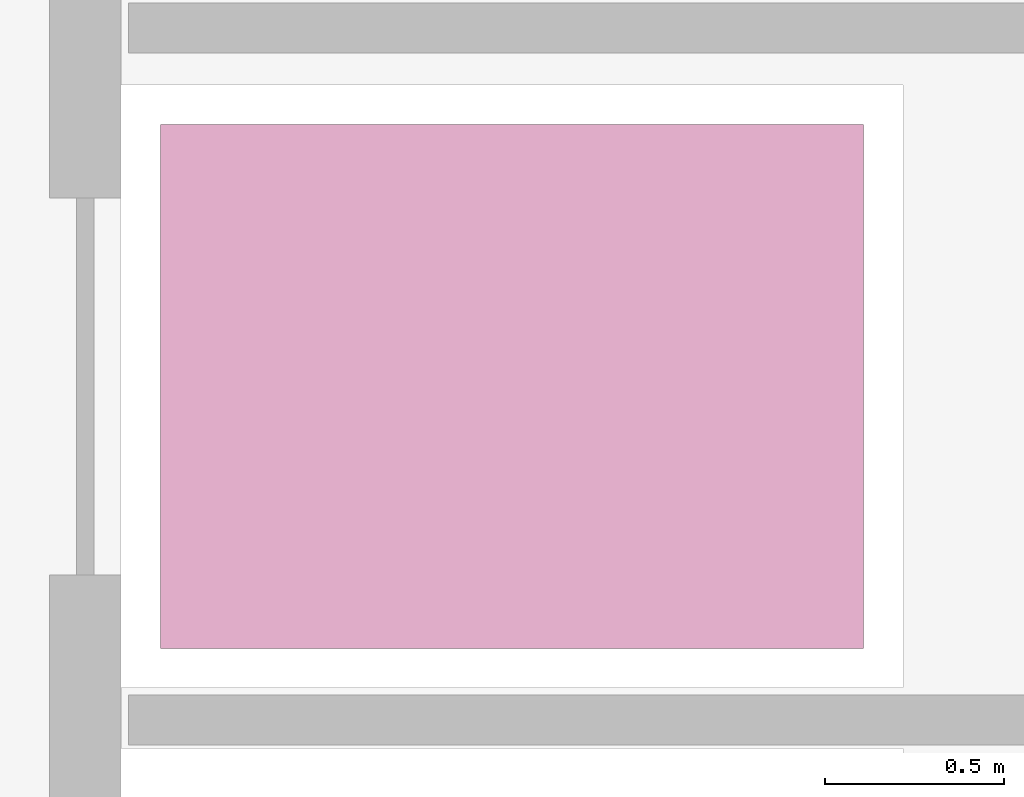
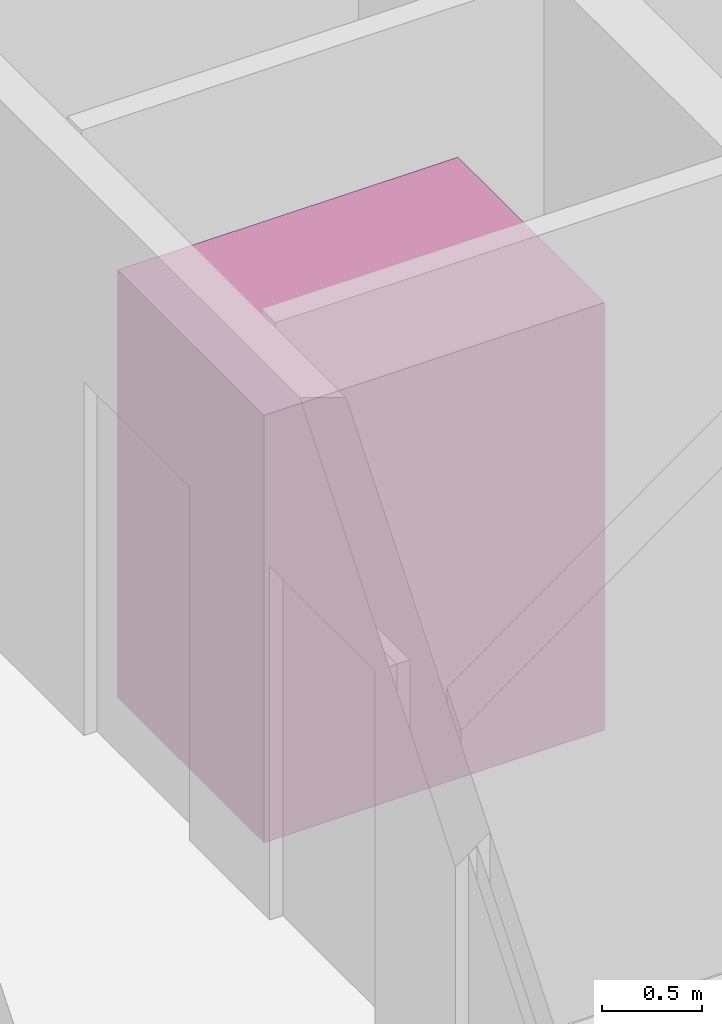
# One storey, part 16 of 16: 1 transport element.
"""IFC4 building model written with IfcOpenShell, lengths in metres."""

from ifc_helpers import new_model, si_unit, direction, frame, origin, origin_2d, place, context, subcontext, project, spatial, rectangle, extrude, material, type_object, element, save


model = new_model("IFC4")

# Units and contexts
model_context = context("Model", 3, precision=1e-05, world=origin(), true_north=direction((0.0, 1.0)))
body_context = subcontext(model_context, "Body", "Model", "MODEL_VIEW")
ifc_project = project(units=[si_unit("LENGTHUNIT", "METRE"), si_unit("AREAUNIT", "SQUARE_METRE"), si_unit("VOLUMEUNIT", "CUBIC_METRE"), si_unit("PLANEANGLEUNIT", "RADIAN"), si_unit("MASSUNIT", "GRAM", prefix="KILO")], contexts=[model_context])

# Site, building, storey
site_placement = place(None, origin())
site = spatial("IfcSite", under=ifc_project, at=site_placement, CompositionType="ELEMENT")
building_placement = place(site_placement, origin())
building = spatial("IfcBuilding", under=site, at=building_placement, Name="Oramaril Tower", CompositionType="ELEMENT")
storey_placement = place(building_placement, frame((0.0, 0.0, 115.800048828125)))
storey = spatial("IfcBuildingStorey", under=building, at=storey_placement, Name="L30", CompositionType="ELEMENT", Elevation=115.800048828125)

# Transport element
ifc_material = material(Name="Stainless Steel 316L", Category="steel")
transport_element_type = type_object("IfcTransportElementType", Name="LFT-PAX", PredefinedType="ELEVATOR", material=ifc_material)
transport_element_placement = place(storey_placement, frame((39.85009765625, 16.199951171875, 0.0), z_axis=(0.0, 0.0, 1.0), x_axis=(1.0, 0.0, 0.0)))
element("IfcTransportElement", 1, at=transport_element_placement, inside=storey, type_object=transport_element_type, Name="Elevator Car LP-M3", PredefinedType="ELEVATOR", context=body_context, shape_type="SweptSolid", body=[
    extrude(rectangle(XDim=1.9599609375, YDim=1.4599609375, at=origin_2d()), origin(), (0.0, 0.0, 1.0), 2.60009765625),
])

save(model, "model.ifc")
